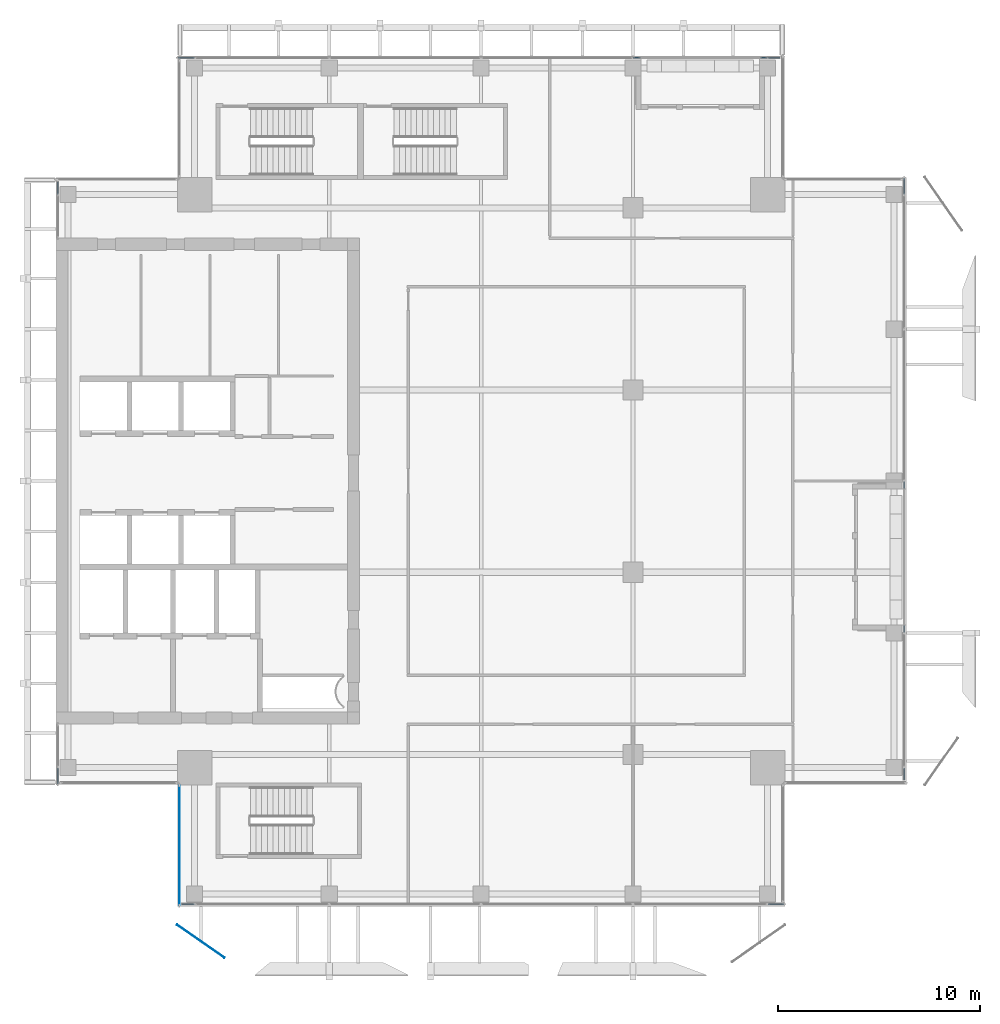
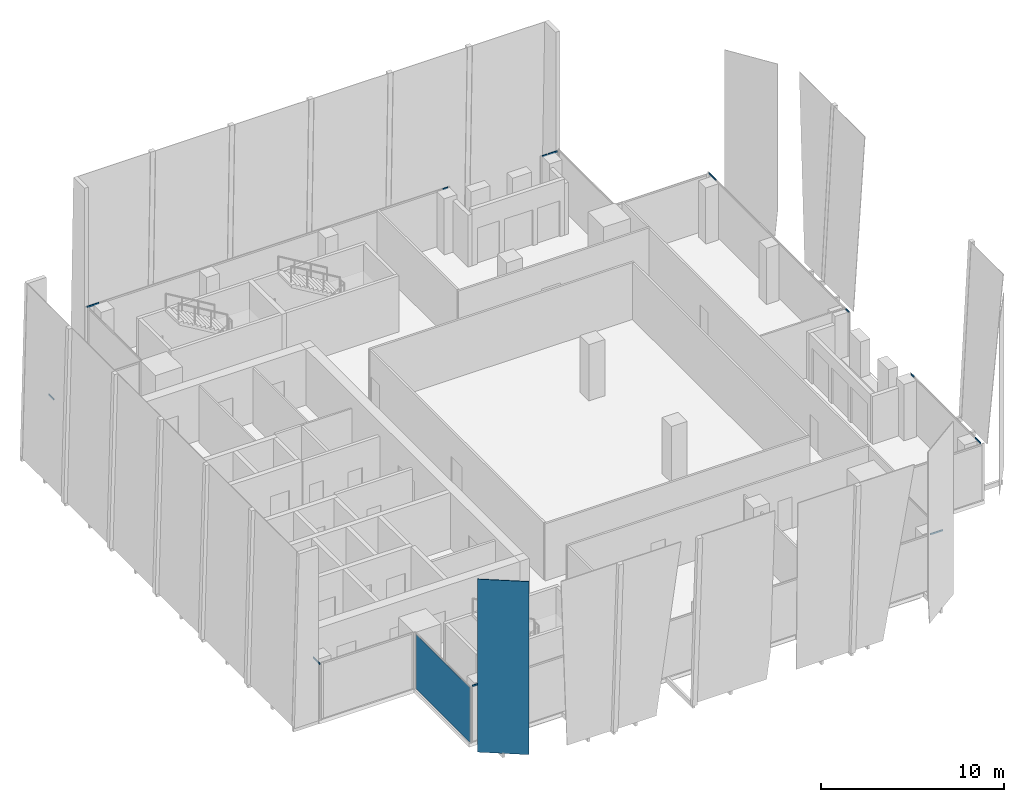
# One storey, part 20 of 32: 12 members, 2 plates, 8 elements without a shape of their own.
"""IFC4 building model written with IfcOpenShell, lengths in metres."""

from ifc_helpers import new_model, si_unit, direction, frame, origin, origin_2d, place, context, subcontext, project, spatial, polyline, rectangle, hollow_rectangle, outline, extrude, source, transform, mapped, material, layer, layer_set, material_profile, profile_set, type_object, element, aggregate, save


model = new_model("IFC4")

# Units and contexts
model_context = context("Model", 3, precision=1e-05, world=origin(), true_north=direction((0.0, 1.0)))
body_context = subcontext(model_context, "Body", "Model", "MODEL_VIEW")
ifc_project = project(units=[si_unit("LENGTHUNIT", "METRE"), si_unit("AREAUNIT", "SQUARE_METRE"), si_unit("VOLUMEUNIT", "CUBIC_METRE"), si_unit("PLANEANGLEUNIT", "RADIAN"), si_unit("MASSUNIT", "GRAM", prefix="KILO")], contexts=[model_context])

# Site, building, storey
site_placement = place(None, origin())
site = spatial("IfcSite", under=ifc_project, at=site_placement, CompositionType="ELEMENT")
building_placement = place(site_placement, origin())
building = spatial("IfcBuilding", under=site, at=building_placement, Name="Khomas Fold Tower", CompositionType="ELEMENT")
storey_placement = place(building_placement, frame((0.0, 0.0, 318.199951171875)))
storey = spatial("IfcBuildingStorey", under=building, at=storey_placement, Name="L72", CompositionType="ELEMENT", Elevation=318.199951171875)

# Curtain wall, member
ifc_material_1 = material(Name="Aluminium framed double glazing", Category="aluminium")
curtain_wall_type = type_object("IfcCurtainWallType", Name="SK-Unitised clear-glass wall, upper floors CW3", PredefinedType="NOTDEFINED", material=ifc_material_1)
curtain_wall_1_placement = place(storey_placement, origin())
curtain_wall_1 = element("IfcCurtainWall", 1, at=curtain_wall_1_placement, inside=storey, type_object=curtain_wall_type, Name="CW3 run L72 00-0", PredefinedType="NOTDEFINED")
ifc_material_2 = material(Name="Aluminium", Category="aluminium")
ifc_material_profile = material_profile(ifc_material_2, hollow_rectangle(XDim=0.050048828125, YDim=0.10009765625, WallThickness=0.00390625, at=origin_2d()), Name="SK-Unitised clear-glass wall, upper floors transom CW3-T")
ifc_profile_set = profile_set([ifc_material_profile], Name="Aluminium")
member_type = type_object("IfcMemberType", Name="SK-Unitised clear-glass wall, upper floors transom CW3-T", PredefinedType="USERDEFINED", material=ifc_profile_set)
shared_shape_1 = source(origin(), body_context, "Body", "SweptSolid", [
    extrude(hollow_rectangle(XDim=0.050048828125, YDim=0.10009765625, WallThickness=0.00390625, at=origin_2d()), origin(), (0.0, 0.0, 1.0), 0.574951171875),
])
member_1_placement = place(storey_placement, frame((12.25, 6.10009765625, 3.699951171875), z_axis=(1.0, 0.0, 0.0), x_axis=(0.0, 1.0, 0.0)))
member_1 = element("IfcMember", 2, at=member_1_placement, type_object=member_type, Name="CW3 transom 1", ObjectType="TRANSOM", PredefinedType="USERDEFINED", context=body_context, shape_type="MappedRepresentation", body=[
    mapped(shared_shape_1, transform((0.0, 0.0, 0.0))),
])

curtain_wall_2_placement = place(storey_placement, origin())
curtain_wall_2 = element("IfcCurtainWall", 3, at=curtain_wall_2_placement, inside=storey, type_object=curtain_wall_type, Name="CW3 run L72 03-0", PredefinedType="NOTDEFINED")
member_2_placement = place(storey_placement, frame((47.89990234375, 12.25, 3.699951171875), z_axis=(0.0, 1.0, 0.0), x_axis=(-1.0, 0.0, 0.0)))
member_2 = element("IfcMember", 4, at=member_2_placement, type_object=member_type, Name="CW3 transom 1", ObjectType="TRANSOM", PredefinedType="USERDEFINED", context=body_context, shape_type="MappedRepresentation", body=[
    mapped(shared_shape_1, transform((0.0, 0.0, 0.0))),
])

curtain_wall_3_placement = place(storey_placement, origin())
curtain_wall_3 = element("IfcCurtainWall", 5, at=curtain_wall_3_placement, inside=storey, type_object=curtain_wall_type, Name="CW3 run L72 06-0", PredefinedType="NOTDEFINED")
member_3_placement = place(storey_placement, frame((41.75, 47.89990234375, 3.699951171875), z_axis=(-1.0, 0.0, 0.0), x_axis=(0.0, -1.0, 0.0)))
member_3 = element("IfcMember", 6, at=member_3_placement, type_object=member_type, Name="CW3 transom 1", ObjectType="TRANSOM", PredefinedType="USERDEFINED", context=body_context, shape_type="MappedRepresentation", body=[
    mapped(shared_shape_1, transform((0.0, 0.0, 0.0))),
])

curtain_wall_4_placement = place(storey_placement, origin())
curtain_wall_4 = element("IfcCurtainWall", 7, at=curtain_wall_4_placement, inside=storey, type_object=curtain_wall_type, Name="CW3 run L72 09-0", PredefinedType="NOTDEFINED")
member_4_placement = place(storey_placement, frame((6.10009765625, 41.75, 3.699951171875), z_axis=(0.0, -1.0, 0.0), x_axis=(1.0, 0.0, 0.0)))
member_4 = element("IfcMember", 8, at=member_4_placement, type_object=member_type, Name="CW3 transom 1", ObjectType="TRANSOM", PredefinedType="USERDEFINED", context=body_context, shape_type="MappedRepresentation", body=[
    mapped(shared_shape_1, transform((0.0, 0.0, 0.0))),
])
aggregate(curtain_wall_4, [member_4])

# Member
shared_shape_2 = source(origin(), body_context, "Body", "SweptSolid", [
    extrude(hollow_rectangle(XDim=0.050048828125, YDim=0.10009765625, WallThickness=0.00390625, at=origin_2d()), origin(), (0.0, 0.0, 1.0), 0.77490234375),
])
member_5_placement = place(storey_placement, frame((41.175048828125, 6.10009765625, 3.699951171875), z_axis=(1.0, 0.0, 0.0), x_axis=(0.0, 1.0, 0.0)))
member_5 = element("IfcMember", 9, at=member_5_placement, type_object=member_type, Name="CW3 transom 6", ObjectType="TRANSOM", PredefinedType="USERDEFINED", context=body_context, shape_type="MappedRepresentation", body=[
    mapped(shared_shape_2, transform((0.0, 0.0, 0.0))),
])

aggregate(curtain_wall_1, [member_1, member_5])

# Curtain wall, member
curtain_wall_5_placement = place(storey_placement, origin())
curtain_wall_5 = element("IfcCurtainWall", 10, at=curtain_wall_5_placement, inside=storey, type_object=curtain_wall_type, Name="CW3 run L72 03-1", PredefinedType="NOTDEFINED")
member_6_placement = place(storey_placement, frame((47.89990234375, 41.175048828125, 3.699951171875), z_axis=(0.0, 1.0, 0.0), x_axis=(-1.0, 0.0, 0.0)))
member_6 = element("IfcMember", 11, at=member_6_placement, type_object=member_type, Name="CW3 transom 4", ObjectType="TRANSOM", PredefinedType="USERDEFINED", context=body_context, shape_type="MappedRepresentation", body=[
    mapped(shared_shape_2, transform((0.0, 0.0, 0.0))),
])

curtain_wall_6_placement = place(storey_placement, origin())
curtain_wall_6 = element("IfcCurtainWall", 12, at=curtain_wall_6_placement, inside=storey, type_object=curtain_wall_type, Name="CW3 run L72 06-1", PredefinedType="NOTDEFINED")
member_7_placement = place(storey_placement, frame((12.824951171875, 47.89990234375, 3.699951171875), z_axis=(-1.0, 0.0, 0.0), x_axis=(0.0, -1.0, 0.0)))
member_7 = element("IfcMember", 13, at=member_7_placement, type_object=member_type, Name="CW3 transom 5", ObjectType="TRANSOM", PredefinedType="USERDEFINED", context=body_context, shape_type="MappedRepresentation", body=[
    mapped(shared_shape_2, transform((0.0, 0.0, 0.0))),
])

curtain_wall_7_placement = place(storey_placement, origin())
curtain_wall_7 = element("IfcCurtainWall", 14, at=curtain_wall_7_placement, inside=storey, type_object=curtain_wall_type, Name="CW3 run L72 09-1", PredefinedType="NOTDEFINED")
member_8_placement = place(storey_placement, frame((6.10009765625, 12.824951171875, 3.699951171875), z_axis=(0.0, -1.0, 0.0), x_axis=(1.0, 0.0, 0.0)))
member_8 = element("IfcMember", 15, at=member_8_placement, type_object=member_type, Name="CW3 transom 2", ObjectType="TRANSOM", PredefinedType="USERDEFINED", context=body_context, shape_type="MappedRepresentation", body=[
    mapped(shared_shape_2, transform((0.0, 0.0, 0.0))),
])
aggregate(curtain_wall_7, [member_8])

# Member
shared_shape_3 = source(origin(), body_context, "Body", "SweptSolid", [
    extrude(hollow_rectangle(XDim=0.050048828125, YDim=0.10009765625, WallThickness=0.00390625, at=origin_2d()), origin(), (0.0, 0.0, 1.0), 0.3251953125),
])
member_9_placement = place(storey_placement, frame((47.89990234375, 19.52490234375, 3.699951171875), z_axis=(0.0, 1.0, 0.0), x_axis=(-1.0, 0.0, 0.0)))
member_9 = element("IfcMember", 16, at=member_9_placement, type_object=member_type, Name="CW3 transom 3", ObjectType="TRANSOM", PredefinedType="USERDEFINED", context=body_context, shape_type="MappedRepresentation", body=[
    mapped(shared_shape_3, transform((0.0, 0.0, 0.0))),
])

aggregate(curtain_wall_2, [member_2, member_9])

member_10_placement = place(storey_placement, frame((47.89990234375, 26.64990234375, 3.699951171875), z_axis=(0.0, 1.0, 0.0), x_axis=(-1.0, 0.0, 0.0)))
member_10 = element("IfcMember", 17, at=member_10_placement, type_object=member_type, Name="CW3 transom 1", ObjectType="TRANSOM", PredefinedType="USERDEFINED", context=body_context, shape_type="MappedRepresentation", body=[
    mapped(shared_shape_3, transform((0.0, 0.0, 0.0))),
])

aggregate(curtain_wall_5, [member_10, member_6])

member_11_placement = place(storey_placement, frame((34.85009765625, 47.89990234375, 3.699951171875), z_axis=(-1.0, 0.0, 0.0), x_axis=(0.0, -1.0, 0.0)))
member_11 = element("IfcMember", 18, at=member_11_placement, type_object=member_type, Name="CW3 transom 1", ObjectType="TRANSOM", PredefinedType="USERDEFINED", context=body_context, shape_type="MappedRepresentation", body=[
    mapped(shared_shape_3, transform((0.0, 0.0, 0.0))),
])

aggregate(curtain_wall_6, [member_11, member_7])

shared_shape_4 = source(origin(), body_context, "Body", "SweptSolid", [
    extrude(hollow_rectangle(XDim=0.050048828125, YDim=0.10009765625, WallThickness=0.00390625, at=origin_2d()), origin(), (0.0, 0.0, 1.0), 0.324951171875),
])
member_12_placement = place(storey_placement, frame((41.125, 47.89990234375, 3.699951171875), z_axis=(-1.0, 0.0, 0.0), x_axis=(0.0, -1.0, 0.0)))
member_12 = element("IfcMember", 19, at=member_12_placement, type_object=member_type, Name="CW3 transom 2", ObjectType="TRANSOM", PredefinedType="USERDEFINED", context=body_context, shape_type="MappedRepresentation", body=[
    mapped(shared_shape_4, transform((0.0, 0.0, 0.0))),
])

aggregate(curtain_wall_3, [member_3, member_12])

# Plate
ifc_material_3 = material(Name="Clear laminated glass", Category="glass")
ifc_layer_1 = layer(ifc_material_3, 0.0400390625)
ifc_layer_set_1 = layer_set([ifc_layer_1], Name="Clear laminated glass")
plate_type_1 = type_object("IfcPlateType", Name="SK-Clear laminated glass leaf", PredefinedType="SHEET", material=ifc_layer_set_1)
plate_1_placement = place(storey_placement, frame((12.0, 5.10009765625, 0.0), z_axis=(0.572781965925, 0.819707764701, 0.0), x_axis=(0.0, 0.0, 1.0)))
element("IfcPlate", 20, at=plate_1_placement, inside=storey, type_object=plate_type_1, Name="OUTER SKIN glass L72 SG098-1", PredefinedType="SHEET", context=body_context, shape_type="SweptSolid", body=[
    extrude(outline(polyline([(0.0, 0.0), (11.550048828125, 0.0), (11.550048828125, 2.8425717375634925), (0.0, 2.8425717375634925), (0.0, 0.0)])), origin(), (0.0, 0.0, -1.0), 0.0400390625),
])

# Curtain wall, plate
curtain_wall_8_placement = place(storey_placement, origin())
curtain_wall_8 = element("IfcCurtainWall", 21, at=curtain_wall_8_placement, inside=storey, type_object=curtain_wall_type, Name="CW3 corner return L72 11", PredefinedType="NOTDEFINED")
ifc_material_4 = material(Name="Clear double glazed unit")
ifc_layer_2 = layer(ifc_material_4, 0.028076171875)
ifc_layer_set_2 = layer_set([ifc_layer_2], Name="Clear double glazed unit")
plate_type_2 = type_object("IfcPlateType", Name="SK-Unitised clear-glass wall, upper floors glass panel CW3-P", PredefinedType="CURTAIN_PANEL", material=ifc_layer_set_2)
shared_shape_5 = source(origin(), body_context, "Body", "SweptSolid", [
    extrude(rectangle(XDim=5.89990234375, YDim=0.028076171875, at=origin_2d()), origin(), (0.0, 0.0, 1.0), 3.64990234375),
])
plate_2_placement = place(storey_placement, frame((12.10009765625, 9.0, 0.0), z_axis=(0.0, 0.0, 1.0), x_axis=(0.0, -1.0, 0.0)))
plate_2 = element("IfcPlate", 22, at=plate_2_placement, type_object=plate_type_2, Name="CW3 glass panel 1", PredefinedType="CURTAIN_PANEL", context=body_context, shape_type="MappedRepresentation", body=[
    mapped(shared_shape_5, transform((0.0, 0.0, 0.0))),
])
aggregate(curtain_wall_8, [plate_2])

save(model, "model.ifc")
